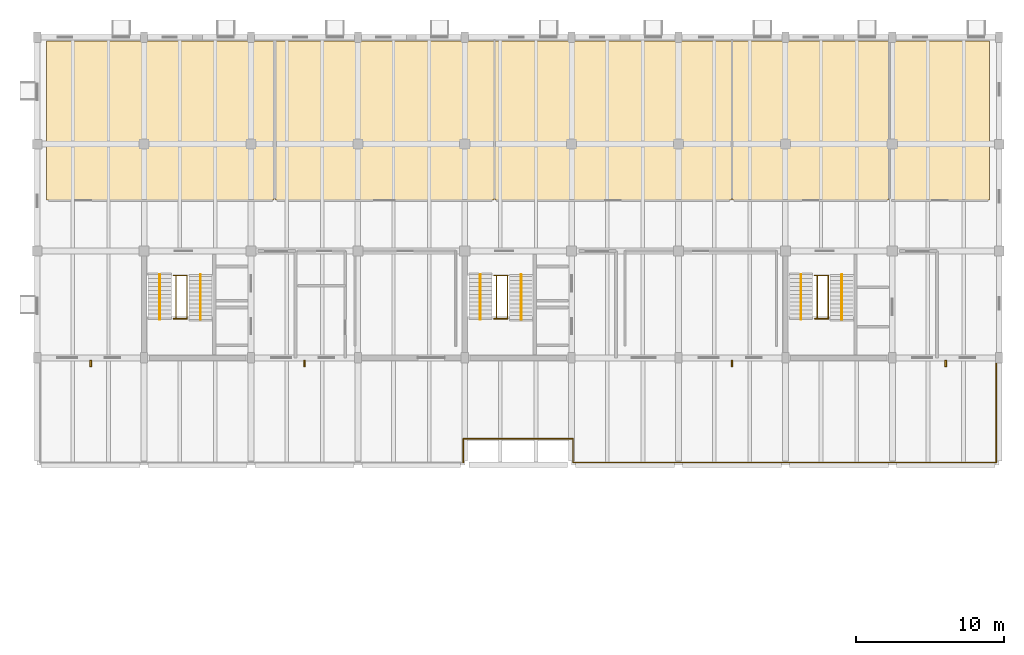
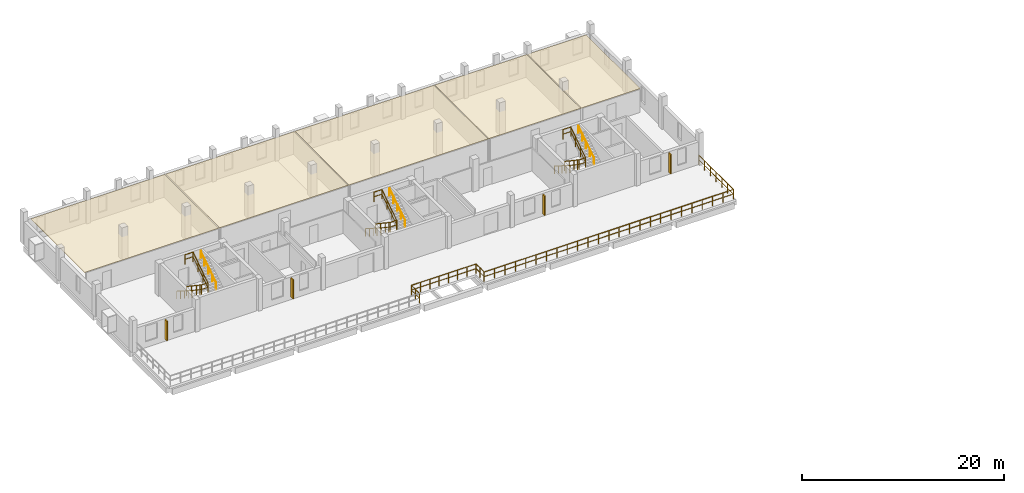
# One storey, part 14 of 14: 23 railings, 5 coverings, 4 shading devices.
"""IFC4 building model written with IfcOpenShell, lengths in metres."""

from ifc_helpers import new_model, si_unit, direction, frame, origin, origin_2d, place, context, subcontext, project, spatial, polyline, rectangle, circle, outline, extrude, material, layer, layer_set, material_profile, profile_set, type_object, element, save


model = new_model("IFC4")

# Units and contexts
model_context = context("Model", 3, precision=1e-05, world=origin(), true_north=direction((0.0, 1.0)))
body_context = subcontext(model_context, "Body", "Model", "MODEL_VIEW")
ifc_project = project(units=[si_unit("LENGTHUNIT", "METRE"), si_unit("AREAUNIT", "SQUARE_METRE"), si_unit("VOLUMEUNIT", "CUBIC_METRE"), si_unit("PLANEANGLEUNIT", "RADIAN"), si_unit("MASSUNIT", "GRAM", prefix="KILO")], contexts=[model_context])

# Site, building, storey
site_placement = place(None, origin())
site = spatial("IfcSite", under=ifc_project, at=site_placement, CompositionType="ELEMENT")
building_placement = place(site_placement, origin())
building = spatial("IfcBuilding", under=site, at=building_placement, Name="Qiaolan Assembly House", CompositionType="ELEMENT")
storey_placement = place(building_placement, frame((0.0, 0.0, 22.5)))
storey = spatial("IfcBuildingStorey", under=building, at=storey_placement, Name="L05", CompositionType="ELEMENT", Elevation=22.5)

# Coverings
ifc_material_1 = material(Name="Gypsum plasterboard acoustic ceiling")
ifc_layer_1 = layer(ifc_material_1, 0.044921875)
ifc_layer_set_1 = layer_set([ifc_layer_1], Name="Gypsum plasterboard acoustic ceiling")
covering_type_1 = type_object("IfcCoveringType", Name="COV-CEIL-ACOUSTIC", PredefinedType="CEILING", material=ifc_layer_set_1)
covering_1_placement = place(storey_placement, frame((0.0, 0.0, 2.735107421875)))
element("IfcCovering", 1, at=covering_1_placement, inside=storey, type_object=covering_type_1, Name="Suspended ceiling Environmental Protection & Parks Bureau", PredefinedType="CEILING", context=body_context, shape_type="SweptSolid", body=[
    extrude(outline(polyline([(36.639892578125, 104.239990234375), (51.9599609375, 104.239990234375), (51.9599609375, 114.949951171875), (36.639892578125, 114.949951171875), (36.639892578125, 104.239990234375)])), origin(), (0.0, 0.0, 1.0), 0.044921875),
])
covering_2_placement = place(storey_placement, frame((0.0, 0.0, 2.735107421875)))
element("IfcCovering", 2, at=covering_2_placement, inside=storey, type_object=covering_type_1, Name="Suspended ceiling Cultural Affairs & Civic Heritage Office", PredefinedType="CEILING", context=body_context, shape_type="SweptSolid", body=[
    extrude(outline(polyline([(66.840087890625, 104.239990234375), (82.760009765625, 104.239990234375), (82.760009765625, 114.949951171875), (66.840087890625, 114.949951171875), (66.840087890625, 104.239990234375)])), origin(), (0.0, 0.0, 1.0), 0.044921875),
])
covering_3_placement = place(storey_placement, frame((0.0, 0.0, 2.735107421875)))
element("IfcCovering", 3, at=covering_3_placement, inside=storey, type_object=covering_type_1, Name="Suspended ceiling Terrace Reception & Breakout Salon", PredefinedType="CEILING", context=body_context, shape_type="SweptSolid", body=[
    extrude(outline(polyline([(82.840087890625, 104.239990234375), (93.360107421875, 104.239990234375), (93.360107421875, 114.949951171875), (82.840087890625, 114.949951171875), (82.840087890625, 104.239990234375)])), origin(), (0.0, 0.0, 1.0), 0.044921875),
])
covering_4_placement = place(storey_placement, frame((0.0, 0.0, 2.735107421875)))
element("IfcCovering", 4, at=covering_4_placement, inside=storey, type_object=covering_type_1, Name="Suspended ceiling Staff Print & Supply Hub", PredefinedType="CEILING", context=body_context, shape_type="SweptSolid", body=[
    extrude(outline(polyline([(93.43994140625, 104.239990234375), (100.159912109375, 104.239990234375), (100.159912109375, 114.949951171875), (93.43994140625, 114.949951171875), (93.43994140625, 104.239990234375)])), origin(), (0.0, 0.0, 1.0), 0.044921875),
])
ifc_layer_2 = layer(ifc_material_1, 0.052001953125)
ifc_layer_set_2 = layer_set([ifc_layer_2], Name="Gypsum plasterboard acoustic ceiling")
covering_type_2 = type_object("IfcCoveringType", Name="COV-CEIL-GYPSUM", PredefinedType="CEILING", material=ifc_layer_set_2)
covering_5_placement = place(storey_placement, frame((0.0, 0.0, 2.72802734375)))
element("IfcCovering", 5, at=covering_5_placement, inside=storey, type_object=covering_type_2, Name="Suspended ceiling Climate Resilience Joint Operations Room", PredefinedType="CEILING", context=body_context, shape_type="SweptSolid", body=[
    extrude(outline(polyline([(52.0400390625, 104.239990234375), (66.760009765625, 104.239990234375), (66.760009765625, 114.949951171875), (52.0400390625, 114.949951171875), (52.0400390625, 104.239990234375)])), origin(), (0.0, 0.0, 1.0), 0.052001953125),
])

# Railings
ifc_material_2 = material(Name="Anodised bronze aluminium", Category="aluminium")
railing_type_1 = type_object("IfcRailingType", Name="RAL-GUARD-STAIRWELL-1150", PredefinedType="GUARDRAIL", material=ifc_material_2)
railing_1_placement = place(storey_placement, frame((45.340087890625, 99.14990234375, 0.0)))
element("IfcRailing", 6, at=railing_1_placement, inside=storey, type_object=railing_type_1, Name="GR-01 stair inner-well guard FLT-CORE-A-L05-1", PredefinedType="GUARDRAIL", context=body_context, shape_type="SweptSolid", body=[
    extrude(circle(Radius=0.02392578125, at=origin_2d()), frame((0.0, 0.0, 1.1259765625), z_axis=(0.0, -0.831160267213, 0.556032921872), x_axis=(1.0, 0.0, 0.0)), (0.0, 0.0, 1.0), 3.5068359375),
    extrude(circle(Radius=0.01611328125, at=origin_2d()), frame((0.0, 0.0, 0.574951171875), z_axis=(0.0, -0.831160267213, 0.556032921872), x_axis=(1.0, 0.0, 0.0)), (0.0, 0.0, 1.0), 3.5068359375),
    extrude(circle(Radius=0.02099609375, at=origin_2d()), origin(), (0.0, 0.0, 1.0), 1.101806640625),
    extrude(circle(Radius=0.02099609375, at=origin_2d()), frame((0.0, -0.9716796875, 0.64990234375)), (0.0, 0.0, 1.0), 1.101806640625),
    extrude(circle(Radius=0.02099609375, at=origin_2d()), frame((0.0, -1.943115234375, 1.300048828125)), (0.0, 0.0, 1.0), 1.101806640625),
    extrude(circle(Radius=0.02099609375, at=origin_2d()), frame((0.0, -2.914794921875, 1.949951171875)), (0.0, 0.0, 1.0), 1.101806640625),
])
railing_2_placement = place(storey_placement, frame((46.080078125, 96.235107421875, 1.949951171875)))
element("IfcRailing", 7, at=railing_2_placement, inside=storey, type_object=railing_type_1, Name="GR-01 stair inner-well guard FLT-CORE-A-L05-2", PredefinedType="GUARDRAIL", context=body_context, shape_type="SweptSolid", body=[
    extrude(circle(Radius=0.02392578125, at=origin_2d()), frame((0.0, 0.0, 1.1259765625), z_axis=(0.0, 0.831160267213, 0.556032921872), x_axis=(-1.0, 0.0, 0.0)), (0.0, 0.0, 1.0), 3.5068359375),
    extrude(circle(Radius=0.01611328125, at=origin_2d()), frame((0.0, 0.0, 0.574951171875), z_axis=(0.0, 0.831160267213, 0.556032921872), x_axis=(-1.0, 0.0, 0.0)), (0.0, 0.0, 1.0), 3.5068359375),
    extrude(circle(Radius=0.02099609375, at=origin_2d()), origin(), (0.0, 0.0, 1.0), 1.101806640625),
    extrude(circle(Radius=0.02099609375, at=origin_2d()), frame((0.0, 0.9716796875, 0.64990234375)), (0.0, 0.0, 1.0), 1.101806640625),
    extrude(circle(Radius=0.02099609375, at=origin_2d()), frame((0.0, 1.943115234375, 1.300048828125)), (0.0, 0.0, 1.0), 1.101806640625),
    extrude(circle(Radius=0.02099609375, at=origin_2d()), frame((0.0, 2.914794921875, 1.949951171875)), (0.0, 0.0, 1.0), 1.101806640625),
])
for number, where, name in (
    (8, (45.179931640625, 96.235107421875, 1.949951171875), "GR-01 stairwell landing guard CORE-A L05-1"),
    (9, (45.179931640625, 99.14990234375, 3.89990234375), "GR-01 stairwell landing guard CORE-A L05-2"),
):
    element("IfcRailing", number, at=place(storey_placement, frame(where)), inside=storey, type_object=railing_type_1, Name=name, PredefinedType="GUARDRAIL", context=body_context, shape_type="SweptSolid", body=[
        extrude(circle(Radius=0.02392578125, at=origin_2d()), frame((0.0, 0.0, 1.1259765625), z_axis=(1.0, 0.0, 0.0), x_axis=(0.0, 1.0, 0.0)), (0.0, 0.0, 1.0), 0.920166015625),
        extrude(circle(Radius=0.01611328125, at=origin_2d()), frame((0.0, 0.0, 0.574951171875), z_axis=(1.0, 0.0, 0.0), x_axis=(0.0, 1.0, 0.0)), (0.0, 0.0, 1.0), 0.920166015625),
        extrude(circle(Radius=0.02099609375, at=origin_2d()), origin(), (0.0, 0.0, 1.0), 1.101806640625),
        extrude(circle(Radius=0.02099609375, at=origin_2d()), frame((0.920166015625, 0.0, 0.0)), (0.0, 0.0, 1.0), 1.101806640625),
    ])
railing_3_placement = place(storey_placement, frame((66.93994140625, 99.14990234375, 0.0)))
element("IfcRailing", 10, at=railing_3_placement, inside=storey, type_object=railing_type_1, Name="GR-01 stair inner-well guard FLT-CORE-B-L05-1", PredefinedType="GUARDRAIL", context=body_context, shape_type="SweptSolid", body=[
    extrude(circle(Radius=0.02392578125, at=origin_2d()), frame((0.0, 0.0, 1.1259765625), z_axis=(0.0, -0.831160267213, 0.556032921872), x_axis=(1.0, 0.0, 0.0)), (0.0, 0.0, 1.0), 3.5068359375),
    extrude(circle(Radius=0.01611328125, at=origin_2d()), frame((0.0, 0.0, 0.574951171875), z_axis=(0.0, -0.831160267213, 0.556032921872), x_axis=(1.0, 0.0, 0.0)), (0.0, 0.0, 1.0), 3.5068359375),
    extrude(circle(Radius=0.02099609375, at=origin_2d()), origin(), (0.0, 0.0, 1.0), 1.101806640625),
    extrude(circle(Radius=0.02099609375, at=origin_2d()), frame((0.0, -0.9716796875, 0.64990234375)), (0.0, 0.0, 1.0), 1.101806640625),
    extrude(circle(Radius=0.02099609375, at=origin_2d()), frame((0.0, -1.943115234375, 1.300048828125)), (0.0, 0.0, 1.0), 1.101806640625),
    extrude(circle(Radius=0.02099609375, at=origin_2d()), frame((0.0, -2.914794921875, 1.949951171875)), (0.0, 0.0, 1.0), 1.101806640625),
])
railing_4_placement = place(storey_placement, frame((67.679931640625, 96.235107421875, 1.949951171875)))
element("IfcRailing", 11, at=railing_4_placement, inside=storey, type_object=railing_type_1, Name="GR-01 stair inner-well guard FLT-CORE-B-L05-2", PredefinedType="GUARDRAIL", context=body_context, shape_type="SweptSolid", body=[
    extrude(circle(Radius=0.02392578125, at=origin_2d()), frame((0.0, 0.0, 1.1259765625), z_axis=(0.0, 0.831160267213, 0.556032921872), x_axis=(-1.0, 0.0, 0.0)), (0.0, 0.0, 1.0), 3.5068359375),
    extrude(circle(Radius=0.01611328125, at=origin_2d()), frame((0.0, 0.0, 0.574951171875), z_axis=(0.0, 0.831160267213, 0.556032921872), x_axis=(-1.0, 0.0, 0.0)), (0.0, 0.0, 1.0), 3.5068359375),
    extrude(circle(Radius=0.02099609375, at=origin_2d()), origin(), (0.0, 0.0, 1.0), 1.101806640625),
    extrude(circle(Radius=0.02099609375, at=origin_2d()), frame((0.0, 0.9716796875, 0.64990234375)), (0.0, 0.0, 1.0), 1.101806640625),
    extrude(circle(Radius=0.02099609375, at=origin_2d()), frame((0.0, 1.943115234375, 1.300048828125)), (0.0, 0.0, 1.0), 1.101806640625),
    extrude(circle(Radius=0.02099609375, at=origin_2d()), frame((0.0, 2.914794921875, 1.949951171875)), (0.0, 0.0, 1.0), 1.101806640625),
])
for number, where, name in (
    (12, (66.780029296875, 96.235107421875, 1.949951171875), "GR-01 stairwell landing guard CORE-B L05-1"),
    (13, (66.780029296875, 99.14990234375, 3.89990234375), "GR-01 stairwell landing guard CORE-B L05-2"),
):
    element("IfcRailing", number, at=place(storey_placement, frame(where)), inside=storey, type_object=railing_type_1, Name=name, PredefinedType="GUARDRAIL", context=body_context, shape_type="SweptSolid", body=[
        extrude(circle(Radius=0.02392578125, at=origin_2d()), frame((0.0, 0.0, 1.1259765625), z_axis=(1.0, 0.0, 0.0), x_axis=(0.0, 1.0, 0.0)), (0.0, 0.0, 1.0), 0.919921875),
        extrude(circle(Radius=0.01611328125, at=origin_2d()), frame((0.0, 0.0, 0.574951171875), z_axis=(1.0, 0.0, 0.0), x_axis=(0.0, 1.0, 0.0)), (0.0, 0.0, 1.0), 0.919921875),
        extrude(circle(Radius=0.02099609375, at=origin_2d()), origin(), (0.0, 0.0, 1.0), 1.101806640625),
        extrude(circle(Radius=0.02099609375, at=origin_2d()), frame((0.919921875, 0.0, 0.0)), (0.0, 0.0, 1.0), 1.101806640625),
    ])
railing_5_placement = place(storey_placement, frame((88.5400390625, 99.14990234375, 0.0)))
element("IfcRailing", 14, at=railing_5_placement, inside=storey, type_object=railing_type_1, Name="GR-01 stair inner-well guard FLT-CORE-G-L05-1", PredefinedType="GUARDRAIL", context=body_context, shape_type="SweptSolid", body=[
    extrude(circle(Radius=0.02392578125, at=origin_2d()), frame((0.0, 0.0, 1.1259765625), z_axis=(0.0, -0.831160267213, 0.556032921872), x_axis=(1.0, 0.0, 0.0)), (0.0, 0.0, 1.0), 3.5068359375),
    extrude(circle(Radius=0.01611328125, at=origin_2d()), frame((0.0, 0.0, 0.574951171875), z_axis=(0.0, -0.831160267213, 0.556032921872), x_axis=(1.0, 0.0, 0.0)), (0.0, 0.0, 1.0), 3.5068359375),
    extrude(circle(Radius=0.02099609375, at=origin_2d()), origin(), (0.0, 0.0, 1.0), 1.101806640625),
    extrude(circle(Radius=0.02099609375, at=origin_2d()), frame((0.0, -0.9716796875, 0.64990234375)), (0.0, 0.0, 1.0), 1.101806640625),
    extrude(circle(Radius=0.02099609375, at=origin_2d()), frame((0.0, -1.943115234375, 1.300048828125)), (0.0, 0.0, 1.0), 1.101806640625),
    extrude(circle(Radius=0.02099609375, at=origin_2d()), frame((0.0, -2.914794921875, 1.949951171875)), (0.0, 0.0, 1.0), 1.101806640625),
])
railing_6_placement = place(storey_placement, frame((89.280029296875, 96.235107421875, 1.949951171875)))
element("IfcRailing", 15, at=railing_6_placement, inside=storey, type_object=railing_type_1, Name="GR-01 stair inner-well guard FLT-CORE-G-L05-2", PredefinedType="GUARDRAIL", context=body_context, shape_type="SweptSolid", body=[
    extrude(circle(Radius=0.02392578125, at=origin_2d()), frame((0.0, 0.0, 1.1259765625), z_axis=(0.0, 0.831160267213, 0.556032921872), x_axis=(-1.0, 0.0, 0.0)), (0.0, 0.0, 1.0), 3.5068359375),
    extrude(circle(Radius=0.01611328125, at=origin_2d()), frame((0.0, 0.0, 0.574951171875), z_axis=(0.0, 0.831160267213, 0.556032921872), x_axis=(-1.0, 0.0, 0.0)), (0.0, 0.0, 1.0), 3.5068359375),
    extrude(circle(Radius=0.02099609375, at=origin_2d()), origin(), (0.0, 0.0, 1.0), 1.101806640625),
    extrude(circle(Radius=0.02099609375, at=origin_2d()), frame((0.0, 0.9716796875, 0.64990234375)), (0.0, 0.0, 1.0), 1.101806640625),
    extrude(circle(Radius=0.02099609375, at=origin_2d()), frame((0.0, 1.943115234375, 1.300048828125)), (0.0, 0.0, 1.0), 1.101806640625),
    extrude(circle(Radius=0.02099609375, at=origin_2d()), frame((0.0, 2.914794921875, 1.949951171875)), (0.0, 0.0, 1.0), 1.101806640625),
])
for number, where, name in (
    (16, (88.3798828125, 96.235107421875, 1.949951171875), "GR-01 stairwell landing guard CORE-G L05-1"),
    (17, (88.3798828125, 99.14990234375, 3.89990234375), "GR-01 stairwell landing guard CORE-G L05-2"),
):
    element("IfcRailing", number, at=place(storey_placement, frame(where)), inside=storey, type_object=railing_type_1, Name=name, PredefinedType="GUARDRAIL", context=body_context, shape_type="SweptSolid", body=[
        extrude(circle(Radius=0.02392578125, at=origin_2d()), frame((0.0, 0.0, 1.1259765625), z_axis=(1.0, 0.0, 0.0), x_axis=(0.0, 1.0, 0.0)), (0.0, 0.0, 1.0), 0.920166015625),
        extrude(circle(Radius=0.01611328125, at=origin_2d()), frame((0.0, 0.0, 0.574951171875), z_axis=(1.0, 0.0, 0.0), x_axis=(0.0, 1.0, 0.0)), (0.0, 0.0, 1.0), 0.920166015625),
        extrude(circle(Radius=0.02099609375, at=origin_2d()), origin(), (0.0, 0.0, 1.0), 1.101806640625),
        extrude(circle(Radius=0.02099609375, at=origin_2d()), frame((0.920166015625, 0.0, 0.0)), (0.0, 0.0, 1.0), 1.101806640625),
    ])
railing_type_2 = type_object("IfcRailingType", Name="RAL-GUARD-TERRACE-1180", PredefinedType="GUARDRAIL", material=ifc_material_2)
railing_7_placement = place(storey_placement, frame((64.699951171875, 86.550048828125, 0.0)))
element("IfcRailing", 18, at=railing_7_placement, inside=storey, type_object=railing_type_2, Name="GR-03 L05 South Court Terrace Guard seg 2", PredefinedType="GUARDRAIL", context=body_context, shape_type="SweptSolid", body=[
    extrude(circle(Radius=0.02392578125, at=origin_2d()), frame((0.0, 0.0, 1.15576171875), z_axis=(0.0, 1.0, 0.0), x_axis=(-1.0, 0.0, 0.0)), (0.0, 0.0, 1.0), 1.599853515625),
    extrude(circle(Radius=0.01611328125, at=origin_2d()), frame((0.0, 0.0, 0.58984375), z_axis=(0.0, 1.0, 0.0), x_axis=(-1.0, 0.0, 0.0)), (0.0, 0.0, 1.0), 1.599853515625),
    extrude(circle(Radius=0.02099609375, at=origin_2d()), origin(), (0.0, 0.0, 1.0), 1.1318359375),
    extrude(circle(Radius=0.02099609375, at=origin_2d()), frame((0.0, 0.7998046875, 0.0)), (0.0, 0.0, 1.0), 1.1318359375),
    extrude(circle(Radius=0.02099609375, at=origin_2d()), frame((0.0, 1.599853515625, 0.0)), (0.0, 0.0, 1.0), 1.1318359375),
])
railing_8_placement = place(storey_placement, frame((64.699951171875, 88.14990234375, 0.0)))
element("IfcRailing", 19, at=railing_8_placement, inside=storey, type_object=railing_type_2, Name="GR-03 L05 South Court Terrace Guard seg 3", PredefinedType="GUARDRAIL", context=body_context, shape_type="SweptSolid", body=[
    extrude(circle(Radius=0.02392578125, at=origin_2d()), frame((0.0, 0.0, 1.15576171875), z_axis=(1.0, 0.0, 0.0), x_axis=(0.0, 1.0, 0.0)), (0.0, 0.0, 1.0), 7.400146484375),
    extrude(circle(Radius=0.01611328125, at=origin_2d()), frame((0.0, 0.0, 0.58984375), z_axis=(1.0, 0.0, 0.0), x_axis=(0.0, 1.0, 0.0)), (0.0, 0.0, 1.0), 7.400146484375),
    extrude(circle(Radius=0.02099609375, at=origin_2d()), origin(), (0.0, 0.0, 1.0), 1.1318359375),
    extrude(circle(Radius=0.02099609375, at=origin_2d()), frame((1.05712890625, 0.0, 0.0)), (0.0, 0.0, 1.0), 1.1318359375),
    extrude(circle(Radius=0.02099609375, at=origin_2d()), frame((2.1142578125, 0.0, 0.0)), (0.0, 0.0, 1.0), 1.1318359375),
    extrude(circle(Radius=0.02099609375, at=origin_2d()), frame((3.17138671875, 0.0, 0.0)), (0.0, 0.0, 1.0), 1.1318359375),
    extrude(circle(Radius=0.02099609375, at=origin_2d()), frame((4.228759765625, 0.0, 0.0)), (0.0, 0.0, 1.0), 1.1318359375),
    extrude(circle(Radius=0.02099609375, at=origin_2d()), frame((5.285888671875, 0.0, 0.0)), (0.0, 0.0, 1.0), 1.1318359375),
    extrude(circle(Radius=0.02099609375, at=origin_2d()), frame((6.343017578125, 0.0, 0.0)), (0.0, 0.0, 1.0), 1.1318359375),
    extrude(circle(Radius=0.02099609375, at=origin_2d()), frame((7.400146484375, 0.0, 0.0)), (0.0, 0.0, 1.0), 1.1318359375),
])
railing_9_placement = place(storey_placement, frame((72.10009765625, 88.14990234375, 0.0)))
element("IfcRailing", 20, at=railing_9_placement, inside=storey, type_object=railing_type_2, Name="GR-03 L05 South Court Terrace Guard seg 4", PredefinedType="GUARDRAIL", context=body_context, shape_type="SweptSolid", body=[
    extrude(circle(Radius=0.02392578125, at=origin_2d()), frame((0.0, 0.0, 1.15576171875), z_axis=(0.0, -1.0, 0.0), x_axis=(1.0, 0.0, 0.0)), (0.0, 0.0, 1.0), 1.599853515625),
    extrude(circle(Radius=0.01611328125, at=origin_2d()), frame((0.0, 0.0, 0.58984375), z_axis=(0.0, -1.0, 0.0), x_axis=(1.0, 0.0, 0.0)), (0.0, 0.0, 1.0), 1.599853515625),
    extrude(circle(Radius=0.02099609375, at=origin_2d()), origin(), (0.0, 0.0, 1.0), 1.1318359375),
    extrude(circle(Radius=0.02099609375, at=origin_2d()), frame((0.0, -0.7998046875, 0.0)), (0.0, 0.0, 1.0), 1.1318359375),
    extrude(circle(Radius=0.02099609375, at=origin_2d()), frame((0.0, -1.599853515625, 0.0)), (0.0, 0.0, 1.0), 1.1318359375),
])
railing_10_placement = place(storey_placement, frame((72.10009765625, 86.550048828125, 0.0)))
element("IfcRailing", 21, at=railing_10_placement, inside=storey, type_object=railing_type_2, Name="GR-03 L05 South Court Terrace Guard seg 5", PredefinedType="GUARDRAIL", context=body_context, shape_type="SweptSolid", body=[
    extrude(circle(Radius=0.02392578125, at=origin_2d()), frame((0.0, 0.0, 1.15576171875), z_axis=(1.0, 0.0, 0.0), x_axis=(0.0, 1.0, 0.0)), (0.0, 0.0, 1.0), 28.5),
    extrude(circle(Radius=0.01611328125, at=origin_2d()), frame((0.0, 0.0, 0.58984375), z_axis=(1.0, 0.0, 0.0), x_axis=(0.0, 1.0, 0.0)), (0.0, 0.0, 1.0), 28.5),
    extrude(circle(Radius=0.02099609375, at=origin_2d()), origin(), (0.0, 0.0, 1.0), 1.1318359375),
    extrude(circle(Radius=0.02099609375, at=origin_2d()), frame((1.1875, 0.0, 0.0)), (0.0, 0.0, 1.0), 1.1318359375),
    extrude(circle(Radius=0.02099609375, at=origin_2d()), frame((2.375, 0.0, 0.0)), (0.0, 0.0, 1.0), 1.1318359375),
    extrude(circle(Radius=0.02099609375, at=origin_2d()), frame((3.5625, 0.0, 0.0)), (0.0, 0.0, 1.0), 1.1318359375),
    extrude(circle(Radius=0.02099609375, at=origin_2d()), frame((4.75, 0.0, 0.0)), (0.0, 0.0, 1.0), 1.1318359375),
    extrude(circle(Radius=0.02099609375, at=origin_2d()), frame((5.9375, 0.0, 0.0)), (0.0, 0.0, 1.0), 1.1318359375),
    extrude(circle(Radius=0.02099609375, at=origin_2d()), frame((7.125, 0.0, 0.0)), (0.0, 0.0, 1.0), 1.1318359375),
    extrude(circle(Radius=0.02099609375, at=origin_2d()), frame((8.3125, 0.0, 0.0)), (0.0, 0.0, 1.0), 1.1318359375),
    extrude(circle(Radius=0.02099609375, at=origin_2d()), frame((9.5, 0.0, 0.0)), (0.0, 0.0, 1.0), 1.1318359375),
    extrude(circle(Radius=0.02099609375, at=origin_2d()), frame((10.6875, 0.0, 0.0)), (0.0, 0.0, 1.0), 1.1318359375),
    extrude(circle(Radius=0.02099609375, at=origin_2d()), frame((11.875, 0.0, 0.0)), (0.0, 0.0, 1.0), 1.1318359375),
    extrude(circle(Radius=0.02099609375, at=origin_2d()), frame((13.0625, 0.0, 0.0)), (0.0, 0.0, 1.0), 1.1318359375),
    extrude(circle(Radius=0.02099609375, at=origin_2d()), frame((14.25, 0.0, 0.0)), (0.0, 0.0, 1.0), 1.1318359375),
    extrude(circle(Radius=0.02099609375, at=origin_2d()), frame((15.4375, 0.0, 0.0)), (0.0, 0.0, 1.0), 1.1318359375),
    extrude(circle(Radius=0.02099609375, at=origin_2d()), frame((16.625, 0.0, 0.0)), (0.0, 0.0, 1.0), 1.1318359375),
    extrude(circle(Radius=0.02099609375, at=origin_2d()), frame((17.8125, 0.0, 0.0)), (0.0, 0.0, 1.0), 1.1318359375),
    extrude(circle(Radius=0.02099609375, at=origin_2d()), frame((19.0, 0.0, 0.0)), (0.0, 0.0, 1.0), 1.1318359375),
    extrude(circle(Radius=0.02099609375, at=origin_2d()), frame((20.1875, 0.0, 0.0)), (0.0, 0.0, 1.0), 1.1318359375),
    extrude(circle(Radius=0.02099609375, at=origin_2d()), frame((21.375, 0.0, 0.0)), (0.0, 0.0, 1.0), 1.1318359375),
    extrude(circle(Radius=0.02099609375, at=origin_2d()), frame((22.5625, 0.0, 0.0)), (0.0, 0.0, 1.0), 1.1318359375),
    extrude(circle(Radius=0.02099609375, at=origin_2d()), frame((23.75, 0.0, 0.0)), (0.0, 0.0, 1.0), 1.1318359375),
    extrude(circle(Radius=0.02099609375, at=origin_2d()), frame((24.9375, 0.0, 0.0)), (0.0, 0.0, 1.0), 1.1318359375),
    extrude(circle(Radius=0.02099609375, at=origin_2d()), frame((26.125, 0.0, 0.0)), (0.0, 0.0, 1.0), 1.1318359375),
    extrude(circle(Radius=0.02099609375, at=origin_2d()), frame((27.3125, 0.0, 0.0)), (0.0, 0.0, 1.0), 1.1318359375),
    extrude(circle(Radius=0.02099609375, at=origin_2d()), frame((28.5, 0.0, 0.0)), (0.0, 0.0, 1.0), 1.1318359375),
])
railing_11_placement = place(storey_placement, frame((100.60009765625, 86.550048828125, 0.0)))
element("IfcRailing", 22, at=railing_11_placement, inside=storey, type_object=railing_type_2, Name="GR-03 L05 South Terrace East Return Guard", PredefinedType="GUARDRAIL", context=body_context, shape_type="SweptSolid", body=[
    extrude(circle(Radius=0.02392578125, at=origin_2d()), frame((0.0, 0.0, 1.15576171875), z_axis=(0.0, 1.0, 0.0), x_axis=(-1.0, 0.0, 0.0)), (0.0, 0.0, 1.0), 6.849853515625),
    extrude(circle(Radius=0.01611328125, at=origin_2d()), frame((0.0, 0.0, 0.58984375), z_axis=(0.0, 1.0, 0.0), x_axis=(-1.0, 0.0, 0.0)), (0.0, 0.0, 1.0), 6.849853515625),
    extrude(circle(Radius=0.02099609375, at=origin_2d()), origin(), (0.0, 0.0, 1.0), 1.1318359375),
    extrude(circle(Radius=0.02099609375, at=origin_2d()), frame((0.0, 1.1416015625, 0.0)), (0.0, 0.0, 1.0), 1.1318359375),
    extrude(circle(Radius=0.02099609375, at=origin_2d()), frame((0.0, 2.283203125, 0.0)), (0.0, 0.0, 1.0), 1.1318359375),
    extrude(circle(Radius=0.02099609375, at=origin_2d()), frame((0.0, 3.4248046875, 0.0)), (0.0, 0.0, 1.0), 1.1318359375),
    extrude(circle(Radius=0.02099609375, at=origin_2d()), frame((0.0, 4.566650390625, 0.0)), (0.0, 0.0, 1.0), 1.1318359375),
    extrude(circle(Radius=0.02099609375, at=origin_2d()), frame((0.0, 5.708251953125, 0.0)), (0.0, 0.0, 1.0), 1.1318359375),
    extrude(circle(Radius=0.02099609375, at=origin_2d()), frame((0.0, 6.849853515625, 0.0)), (0.0, 0.0, 1.0), 1.1318359375),
])
railing_type_3 = type_object("IfcRailingType", Name="RAL-HANDRAIL-STAIR-920", PredefinedType="HANDRAIL", material=ifc_material_2)
railing_12_placement = place(storey_placement, frame((44.25, 99.2099609375, 0.0)))
element("IfcRailing", 23, at=railing_12_placement, inside=storey, type_object=railing_type_3, Name="HR-01 stair handrail FLT-CORE-A-L05-1", PredefinedType="HANDRAIL", context=body_context, shape_type="SweptSolid", body=[
    extrude(circle(Radius=0.02392578125, at=origin_2d()), frame((0.0, 0.0, 0.89599609375), z_axis=(0.0, -0.841312585048, 0.540548919377), x_axis=(1.0, 0.0, 0.0)), (0.0, 0.0, 1.0), 3.607421875),
    extrude(circle(Radius=0.02099609375, at=origin_2d()), origin(), (0.0, 0.0, 1.0), 0.871826171875),
    extrude(circle(Radius=0.02099609375, at=origin_2d()), frame((0.0, -0.7587890625, 0.487548828125)), (0.0, 0.0, 1.0), 0.871826171875),
    extrude(circle(Radius=0.02099609375, at=origin_2d()), frame((0.0, -1.517578125, 0.97509765625)), (0.0, 0.0, 1.0), 0.871826171875),
    extrude(circle(Radius=0.02099609375, at=origin_2d()), frame((0.0, -2.276123046875, 1.46240234375)), (0.0, 0.0, 1.0), 0.871826171875),
    extrude(circle(Radius=0.02099609375, at=origin_2d()), frame((0.0, -3.034912109375, 1.949951171875)), (0.0, 0.0, 1.0), 0.871826171875),
])
railing_13_placement = place(storey_placement, frame((47.0, 96.175048828125, 1.949951171875)))
element("IfcRailing", 24, at=railing_13_placement, inside=storey, type_object=railing_type_3, Name="HR-01 stair handrail FLT-CORE-A-L05-2", PredefinedType="HANDRAIL", context=body_context, shape_type="SweptSolid", body=[
    extrude(circle(Radius=0.02392578125, at=origin_2d()), frame((0.0, 0.0, 0.89599609375), z_axis=(0.0, 0.841312585048, 0.540548919377), x_axis=(-1.0, 0.0, 0.0)), (0.0, 0.0, 1.0), 3.607421875),
    extrude(circle(Radius=0.02099609375, at=origin_2d()), origin(), (0.0, 0.0, 1.0), 0.871826171875),
    extrude(circle(Radius=0.02099609375, at=origin_2d()), frame((0.0, 0.7587890625, 0.487548828125)), (0.0, 0.0, 1.0), 0.871826171875),
    extrude(circle(Radius=0.02099609375, at=origin_2d()), frame((0.0, 1.517578125, 0.97509765625)), (0.0, 0.0, 1.0), 0.871826171875),
    extrude(circle(Radius=0.02099609375, at=origin_2d()), frame((0.0, 2.276123046875, 1.46240234375)), (0.0, 0.0, 1.0), 0.871826171875),
    extrude(circle(Radius=0.02099609375, at=origin_2d()), frame((0.0, 3.034912109375, 1.949951171875)), (0.0, 0.0, 1.0), 0.871826171875),
])
railing_14_placement = place(storey_placement, frame((65.85009765625, 99.2099609375, 0.0)))
element("IfcRailing", 25, at=railing_14_placement, inside=storey, type_object=railing_type_3, Name="HR-01 stair handrail FLT-CORE-B-L05-1", PredefinedType="HANDRAIL", context=body_context, shape_type="SweptSolid", body=[
    extrude(circle(Radius=0.02392578125, at=origin_2d()), frame((0.0, 0.0, 0.89599609375), z_axis=(0.0, -0.841312585048, 0.540548919377), x_axis=(1.0, 0.0, 0.0)), (0.0, 0.0, 1.0), 3.607421875),
    extrude(circle(Radius=0.02099609375, at=origin_2d()), origin(), (0.0, 0.0, 1.0), 0.871826171875),
    extrude(circle(Radius=0.02099609375, at=origin_2d()), frame((0.0, -0.7587890625, 0.487548828125)), (0.0, 0.0, 1.0), 0.871826171875),
    extrude(circle(Radius=0.02099609375, at=origin_2d()), frame((0.0, -1.517578125, 0.97509765625)), (0.0, 0.0, 1.0), 0.871826171875),
    extrude(circle(Radius=0.02099609375, at=origin_2d()), frame((0.0, -2.276123046875, 1.46240234375)), (0.0, 0.0, 1.0), 0.871826171875),
    extrude(circle(Radius=0.02099609375, at=origin_2d()), frame((0.0, -3.034912109375, 1.949951171875)), (0.0, 0.0, 1.0), 0.871826171875),
])
railing_15_placement = place(storey_placement, frame((68.60009765625, 96.175048828125, 1.949951171875)))
element("IfcRailing", 26, at=railing_15_placement, inside=storey, type_object=railing_type_3, Name="HR-01 stair handrail FLT-CORE-B-L05-2", PredefinedType="HANDRAIL", context=body_context, shape_type="SweptSolid", body=[
    extrude(circle(Radius=0.02392578125, at=origin_2d()), frame((0.0, 0.0, 0.89599609375), z_axis=(0.0, 0.841312585048, 0.540548919377), x_axis=(-1.0, 0.0, 0.0)), (0.0, 0.0, 1.0), 3.607421875),
    extrude(circle(Radius=0.02099609375, at=origin_2d()), origin(), (0.0, 0.0, 1.0), 0.871826171875),
    extrude(circle(Radius=0.02099609375, at=origin_2d()), frame((0.0, 0.7587890625, 0.487548828125)), (0.0, 0.0, 1.0), 0.871826171875),
    extrude(circle(Radius=0.02099609375, at=origin_2d()), frame((0.0, 1.517578125, 0.97509765625)), (0.0, 0.0, 1.0), 0.871826171875),
    extrude(circle(Radius=0.02099609375, at=origin_2d()), frame((0.0, 2.276123046875, 1.46240234375)), (0.0, 0.0, 1.0), 0.871826171875),
    extrude(circle(Radius=0.02099609375, at=origin_2d()), frame((0.0, 3.034912109375, 1.949951171875)), (0.0, 0.0, 1.0), 0.871826171875),
])
railing_16_placement = place(storey_placement, frame((87.449951171875, 99.2099609375, 0.0)))
element("IfcRailing", 27, at=railing_16_placement, inside=storey, type_object=railing_type_3, Name="HR-01 stair handrail FLT-CORE-G-L05-1", PredefinedType="HANDRAIL", context=body_context, shape_type="SweptSolid", body=[
    extrude(circle(Radius=0.02392578125, at=origin_2d()), frame((0.0, 0.0, 0.89599609375), z_axis=(0.0, -0.841312585048, 0.540548919377), x_axis=(1.0, 0.0, 0.0)), (0.0, 0.0, 1.0), 3.607421875),
    extrude(circle(Radius=0.02099609375, at=origin_2d()), origin(), (0.0, 0.0, 1.0), 0.871826171875),
    extrude(circle(Radius=0.02099609375, at=origin_2d()), frame((0.0, -0.7587890625, 0.487548828125)), (0.0, 0.0, 1.0), 0.871826171875),
    extrude(circle(Radius=0.02099609375, at=origin_2d()), frame((0.0, -1.517578125, 0.97509765625)), (0.0, 0.0, 1.0), 0.871826171875),
    extrude(circle(Radius=0.02099609375, at=origin_2d()), frame((0.0, -2.276123046875, 1.46240234375)), (0.0, 0.0, 1.0), 0.871826171875),
    extrude(circle(Radius=0.02099609375, at=origin_2d()), frame((0.0, -3.034912109375, 1.949951171875)), (0.0, 0.0, 1.0), 0.871826171875),
])
railing_17_placement = place(storey_placement, frame((90.199951171875, 96.175048828125, 1.949951171875)))
element("IfcRailing", 28, at=railing_17_placement, inside=storey, type_object=railing_type_3, Name="HR-01 stair handrail FLT-CORE-G-L05-2", PredefinedType="HANDRAIL", context=body_context, shape_type="SweptSolid", body=[
    extrude(circle(Radius=0.02392578125, at=origin_2d()), frame((0.0, 0.0, 0.89599609375), z_axis=(0.0, 0.841312585048, 0.540548919377), x_axis=(-1.0, 0.0, 0.0)), (0.0, 0.0, 1.0), 3.607421875),
    extrude(circle(Radius=0.02099609375, at=origin_2d()), origin(), (0.0, 0.0, 1.0), 0.871826171875),
    extrude(circle(Radius=0.02099609375, at=origin_2d()), frame((0.0, 0.7587890625, 0.487548828125)), (0.0, 0.0, 1.0), 0.871826171875),
    extrude(circle(Radius=0.02099609375, at=origin_2d()), frame((0.0, 1.517578125, 0.97509765625)), (0.0, 0.0, 1.0), 0.871826171875),
    extrude(circle(Radius=0.02099609375, at=origin_2d()), frame((0.0, 2.276123046875, 1.46240234375)), (0.0, 0.0, 1.0), 0.871826171875),
    extrude(circle(Radius=0.02099609375, at=origin_2d()), frame((0.0, 3.034912109375, 1.949951171875)), (0.0, 0.0, 1.0), 0.871826171875),
])

# Shading devices
ifc_material_3 = material(Name="Honed pale limestone", Category="masonry")
ifc_material_profile = material_profile(ifc_material_3, rectangle(XDim=0.1201171875, YDim=0.449951171875, at=origin_2d()), Name="FIN 120x450")
ifc_profile_set = profile_set([ifc_material_profile], Name="Honed pale limestone")
shading_device_type = type_object("IfcShadingDeviceType", Name="SHD-FIN-STONE-450", PredefinedType="JALOUSIE", material=ifc_profile_set)
for number, where, z_axis, x_axis, name in (
    (29, (39.60009765625, 93.219970703125, 0.300048828125), (0.0, 0.0, 1.0), (1.0, 0.0, 0.0), "SH-01 vertical limestone brise-soleil fin L05-1"),
    (30, (54.0, 93.219970703125, 0.300048828125), (0.0, 0.0, 1.0), (1.0, 0.0, 0.0), "SH-01 vertical limestone brise-soleil fin L05-3"),
    (31, (82.800048828125, 93.219970703125, 0.300048828125), (0.0, 0.0, 1.0), (1.0, 0.0, 0.0), "SH-01 vertical limestone brise-soleil fin L05-7"),
    (32, (97.199951171875, 93.219970703125, 0.300048828125), (0.0, 0.0, 1.0), (1.0, 0.0, 0.0), "SH-01 vertical limestone brise-soleil fin L05-9"),
):
    element("IfcShadingDevice", number, at=place(storey_placement, frame(where, z_axis=z_axis, x_axis=x_axis)), inside=storey, type_object=shading_device_type, Name=name, PredefinedType="JALOUSIE", context=body_context, shape_type="SweptSolid", body=[
        extrude(rectangle(XDim=0.1201171875, YDim=0.449951171875, at=origin_2d()), origin(), (0.0, 0.0, 1.0), 2.33984375),
    ])

save(model, "model.ifc")
